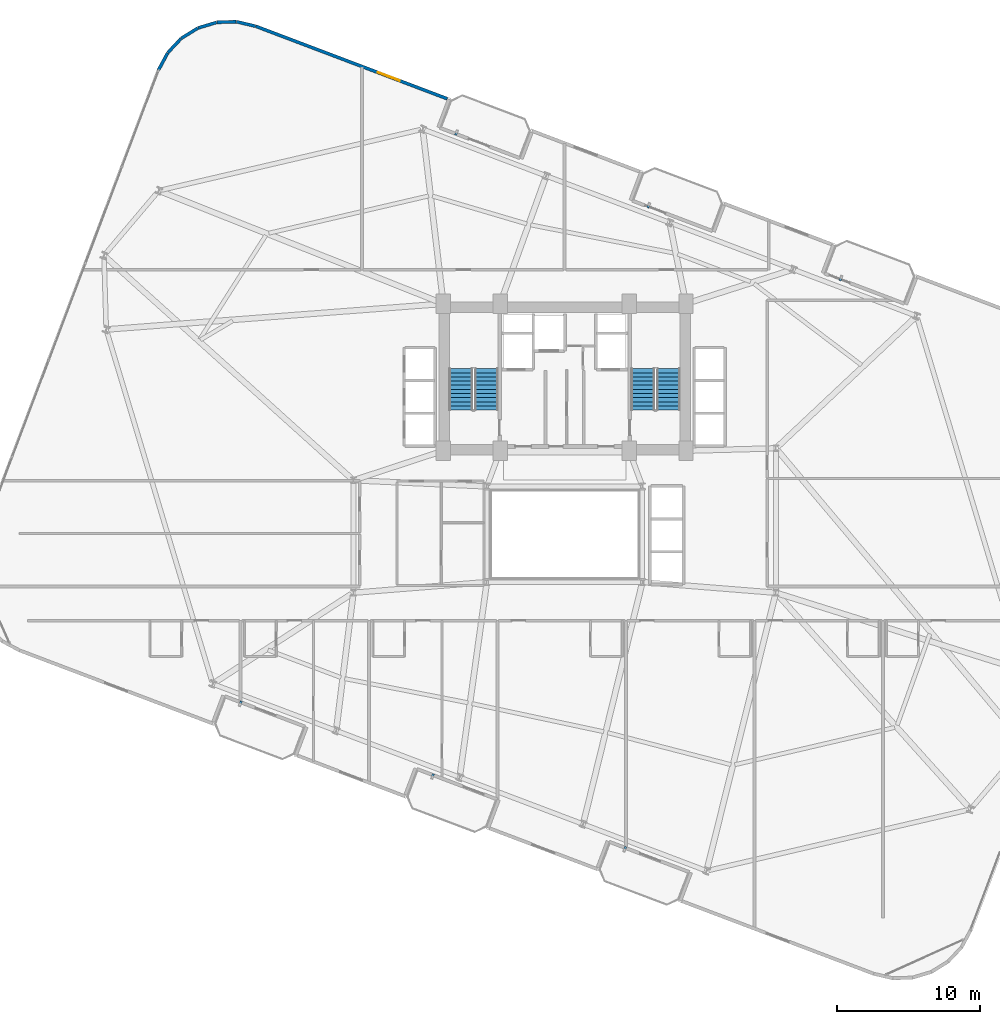
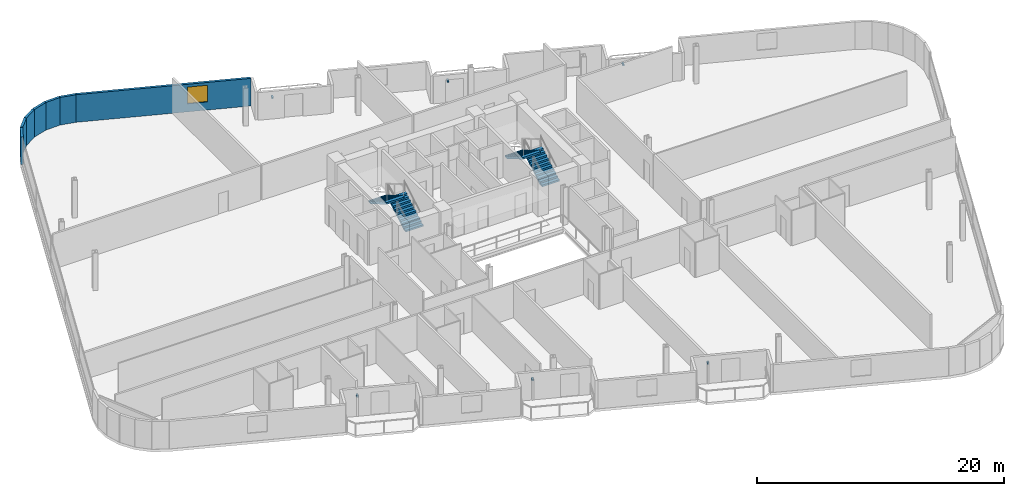
# One storey, part 22 of 25: 7 walls, 6 discrete accessories, 4 stair flights, 1 window, 1 opening, 2 elements without a shape of their own.
"""IFC4 building model written with IfcOpenShell, lengths in metres."""

import ifcopenshell
import ifcopenshell.guid

model = None  # the IFC model being written
_history = None  # IfcOwnerHistory: only IFC2X3 demands one
_inside = {}  # id of a spatial element -> (the spatial element, [elements in it])
_under = {}  # id of a project, library or spatial element -> (it, [spatial elements below it])
_declared = {}  # id of a project -> (the project, [libraries it declares])
_typed = {}  # id of a type object -> (the type object, [elements of that type])
_made_of = {}  # id of a material, layer set ... -> (it, [elements and type objects made of it])


def new_model(schema):
    """Start an empty IFC model of exactly this schema.

    Asked for "IFC4X3", IfcOpenShell would pick the latest addendum, in which some entities
    have other attributes; the version numbers below select the first issue.
    IFC2X3 requires an IfcOwnerHistory on every rooted entity: one is made here for all.
    """
    global model, _history
    if schema == "IFC4X3":
        model = ifcopenshell.file(schema_version=(4, 3, 0, 0))
    else:
        model = ifcopenshell.file(schema=schema)
    _inside.clear()
    _under.clear()
    _declared.clear()
    _typed.clear()
    _made_of.clear()
    _history = None
    if model.schema == "IFC2X3":
        org = make("IfcOrganization", Name="unknown")
        user = make(
            "IfcPersonAndOrganization",
            ThePerson=make("IfcPerson", FamilyName="unknown"),
            TheOrganization=org,
        )
        app = make(
            "IfcApplication",
            ApplicationDeveloper=org,
            Version="unknown",
            ApplicationFullName="unknown",
            ApplicationIdentifier="unknown",
        )
        _history = make(
            "IfcOwnerHistory",
            OwningUser=user,
            OwningApplication=app,
            ChangeAction="ADDED",
            CreationDate=0,
        )
    return model


def make(cls, **values):
    """One entity of the class cls with the attributes given. An attribute that is None is left unset."""
    return model.create_entity(
        cls, **{name: value for name, value in values.items() if value is not None}
    )


def rooted(cls, **values):
    """An entity with a GlobalId (a new one), such as an element, a storey or a relation."""
    return make(cls, GlobalId=ifcopenshell.guid.new(), OwnerHistory=_history, **values)


def si_unit(unit_type, name, prefix=None):
    """IfcSIUnit, for example si_unit("LENGTHUNIT", "METRE", prefix="MILLI")."""
    return make("IfcSIUnit", UnitType=unit_type, Prefix=prefix, Name=name)


def assignment(units):
    """IfcUnitAssignment: the units of a project."""
    return None if units is None else make("IfcUnitAssignment", Units=units)


def point(xyz):
    """IfcCartesianPoint."""
    return None if xyz is None else make("IfcCartesianPoint", Coordinates=xyz)


def direction(xyz):
    """IfcDirection."""
    return None if xyz is None else make("IfcDirection", DirectionRatios=xyz)


def frame(location, z_axis=None, x_axis=None):
    """IfcAxis2Placement3D, a coordinate frame: its origin and axes. An axis left out is left unset."""
    return make(
        "IfcAxis2Placement3D",
        Location=point(location),
        Axis=direction(z_axis),
        RefDirection=direction(x_axis),
    )


def frame_2d(location, x_axis=None):
    """IfcAxis2Placement2D, a coordinate frame in the plane: its origin and x axis."""
    return make(
        "IfcAxis2Placement2D", Location=point(location), RefDirection=direction(x_axis)
    )


def origin():
    """The frame at (0, 0, 0) with its axes left unset."""
    return frame((0.0, 0.0, 0.0))


def origin_2d():
    """The frame at (0, 0) in the plane with its x axis left unset."""
    return frame_2d((0.0, 0.0))


def place(relative_to, where):
    """IfcLocalPlacement: puts the frame where relative to a parent placement (None: the world)."""
    return make(
        "IfcLocalPlacement", PlacementRelTo=relative_to, RelativePlacement=where
    )


def context(
    kind, dimensions, precision=None, world=None, true_north=None, identifier=None
):
    """IfcGeometricRepresentationContext, for example the 3D "Model" context."""
    return make(
        "IfcGeometricRepresentationContext",
        ContextIdentifier=identifier,
        ContextType=kind,
        CoordinateSpaceDimension=dimensions,
        Precision=precision,
        WorldCoordinateSystem=world,
        TrueNorth=true_north,
    )


def subcontext(parent, identifier, kind, view, scale=None):
    """IfcGeometricRepresentationSubContext, for example "Body" below "Model"."""
    return make(
        "IfcGeometricRepresentationSubContext",
        ContextIdentifier=identifier,
        ContextType=kind,
        ParentContext=parent,
        TargetScale=scale,
        TargetView=view,
    )


def project(units=None, contexts=None):
    """IfcProject with its units and contexts."""
    return rooted(
        "IfcProject",
        Name="project",
        RepresentationContexts=contexts,
        UnitsInContext=assignment(units),
    )


def spatial(cls, under=None, at=None, **own):
    """A site, building, storey or space (cls), placed at a placement, below another one or the project."""
    s = rooted(cls, ObjectPlacement=at, **own)
    if under is not None:
        _under.setdefault(under.id(), (under, []))[1].append(s)
    return s


def polyline(points):
    """IfcPolyline through the points."""
    return make("IfcPolyline", Points=[point(p) for p in points])


def profile(cls, at=None, kind="AREA", **sizes):
    """A parametric profile (cls). Its sizes go by their IFC names, for example OverallWidth=200.0."""
    return make(cls, ProfileType=kind, Position=at, **sizes)


def rectangle(**sizes):
    """IfcRectangleProfileDef."""
    return profile("IfcRectangleProfileDef", **sizes)


def outline(outer, holes=None, kind="AREA"):
    """IfcArbitraryClosedProfileDef: a profile drawn as a closed curve; with holes, ...WithVoids."""
    if holes is None:
        return make("IfcArbitraryClosedProfileDef", ProfileType=kind, OuterCurve=outer)
    return make(
        "IfcArbitraryProfileDefWithVoids",
        ProfileType=kind,
        OuterCurve=outer,
        InnerCurves=holes,
    )


def extrude(swept, where, along, depth):
    """IfcExtrudedAreaSolid: the profile swept, set in the frame where, extruded along a direction by depth."""
    return make(
        "IfcExtrudedAreaSolid",
        SweptArea=swept,
        Position=where,
        ExtrudedDirection=direction(along),
        Depth=depth,
    )


def shape(context_of_items, identifier, shape_type, items):
    """IfcShapeRepresentation: the items that make up one representation, for example the "Body"."""
    return make(
        "IfcShapeRepresentation",
        ContextOfItems=context_of_items,
        RepresentationIdentifier=identifier,
        RepresentationType=shape_type,
        Items=items,
    )


def source(mapping_origin, context_of_items, identifier, shape_type, items):
    """IfcRepresentationMap: a shape defined once, which mapped items show again and again."""
    return make(
        "IfcRepresentationMap",
        MappingOrigin=mapping_origin,
        MappedRepresentation=shape(context_of_items, identifier, shape_type, items),
    )


def transform(
    local_origin,
    x_axis=None,
    y_axis=None,
    z_axis=None,
    scale=None,
    scale2=None,
    scale3=None,
    uniform=True,
):
    """IfcCartesianTransformationOperator3D, or its non-uniform kind. x_axis, y_axis, z_axis: its Axis1, 2, 3."""
    if uniform:
        return make(
            "IfcCartesianTransformationOperator3D",
            Axis1=direction(x_axis),
            Axis2=direction(y_axis),
            LocalOrigin=point(local_origin),
            Scale=scale,
            Axis3=direction(z_axis),
        )
    return make(
        "IfcCartesianTransformationOperator3DnonUniform",
        Axis1=direction(x_axis),
        Axis2=direction(y_axis),
        LocalOrigin=point(local_origin),
        Scale=scale,
        Axis3=direction(z_axis),
        Scale2=scale2,
        Scale3=scale3,
    )


def mapped(mapping_source, mapping_target):
    """IfcMappedItem: shows the shape of a source again, moved by a transform."""
    return make(
        "IfcMappedItem", MappingSource=mapping_source, MappingTarget=mapping_target
    )


def material(Name=None, Category=None):
    """IfcMaterial."""
    return make("IfcMaterial", Name=Name, Category=Category)


def layer(
    of_material, thickness, ventilated=None, Name=None, Category=None, Priority=None
):
    """IfcMaterialLayer: one layer of a wall or slab, of a material (None: an air gap)."""
    return make(
        "IfcMaterialLayer",
        Material=of_material,
        LayerThickness=thickness,
        IsVentilated=ventilated,
        Name=Name,
        Category=Category,
        Priority=Priority,
    )


def layer_set(layers, Name=None):
    """IfcMaterialLayerSet."""
    return make("IfcMaterialLayerSet", MaterialLayers=layers, LayerSetName=Name)


def made_of(thing, what):
    """Note that an element or type object is made of a material, layer set ...; save() writes the relation."""
    if what is not None:
        _made_of.setdefault(what.id(), (what, []))[1].append(thing)
    return thing


def type_object(cls, material=None, **own):
    """A type object (cls), such as IfcWallType, which elements share."""
    return made_of(rooted(cls, **own), material)


def element(
    cls,
    number,
    at=None,
    inside=None,
    cuts=None,
    type_object=None,
    material=None,
    context=None,
    identifier="Body",
    shape_type=None,
    held_by="IfcProductDefinitionShape",
    body=None,
    shapes=None,
    **own,
):
    """One element of the class cls, such as IfcWall. Its Tag is "e" and its number.

    at: its placement. inside: the storey or other place that contains it. cuts: it is an
    opening in that element (IfcRelVoidsElement). A single representation is given by context,
    identifier, shape_type and body (its items); several are given by shapes. held_by: the class
    of the entity that holds the representations. save() writes the other relations.
    """
    e = rooted(cls, Tag="e%d" % number, ObjectPlacement=at, **own)
    if body is not None:
        shapes = [shape(context, identifier, shape_type, body)]
    if shapes is not None:
        e.Representation = make(held_by, Representations=shapes)
    if inside is not None:
        _inside.setdefault(inside.id(), (inside, []))[1].append(e)
    if cuts is not None:
        rooted(
            "IfcRelVoidsElement", RelatingBuildingElement=cuts, RelatedOpeningElement=e
        )
    if type_object is not None:
        _typed.setdefault(type_object.id(), (type_object, []))[1].append(e)
    return made_of(e, material)


def fill(opening, filler):
    """IfcRelFillsElement: the door or window that sits in an opening."""
    return rooted(
        "IfcRelFillsElement",
        RelatingOpeningElement=opening,
        RelatedBuildingElement=filler,
    )


def aggregate(whole, parts):
    """IfcRelAggregates: a whole, such as a stair, and the parts it consists of."""
    return rooted("IfcRelAggregates", RelatingObject=whole, RelatedObjects=parts)


def save(model, path):
    """Write the relations noted so far, then the file.

    IfcRelAggregates (storeys below a building ...), IfcRelContainedInSpatialStructure (elements
    in a storey), IfcRelDefinesByType, IfcRelAssociatesMaterial and IfcRelDeclares: one each for
    every whole, place, type object, material and project.
    """
    for whole, parts in _under.values():
        aggregate(whole, parts)
    for where, things in _inside.values():
        rooted(
            "IfcRelContainedInSpatialStructure",
            RelatedElements=things,
            RelatingStructure=where,
        )
    for kind, things in _typed.values():
        rooted("IfcRelDefinesByType", RelatedObjects=things, RelatingType=kind)
    for what, things in _made_of.values():
        rooted("IfcRelAssociatesMaterial", RelatedObjects=things, RelatingMaterial=what)
    for by, libraries in _declared.values():
        rooted("IfcRelDeclares", RelatingContext=by, RelatedDefinitions=libraries)
    model.write(path)


model = new_model("IFC4")

# Units and contexts
model_context = context("Model", 3, precision=1e-05, world=origin(), true_north=direction((0.0, 1.0)))
body_context = subcontext(model_context, "Body", "Model", "MODEL_VIEW")
ifc_project = project(units=[si_unit("LENGTHUNIT", "METRE"), si_unit("AREAUNIT", "SQUARE_METRE"), si_unit("VOLUMEUNIT", "CUBIC_METRE"), si_unit("PLANEANGLEUNIT", "RADIAN"), si_unit("MASSUNIT", "GRAM", prefix="KILO")], contexts=[model_context])

# Site, building, storey
site_placement = place(None, origin())
site = spatial("IfcSite", under=ifc_project, at=site_placement, CompositionType="ELEMENT")
building_placement = place(site_placement, origin())
building = spatial("IfcBuilding", under=site, at=building_placement, Name="Varnelok Gate Tower", CompositionType="ELEMENT")
storey_placement = place(building_placement, frame((0.0, 0.0, 76.199951171875)))
storey = spatial("IfcBuildingStorey", under=building, at=storey_placement, Name="L18", CompositionType="ELEMENT", Elevation=76.199951171875)

# Wall, opening, window
ifc_material_1 = material(Name="Concrete C45/55", Category="concrete")
ifc_layer = layer(ifc_material_1, 0.219970703125)
ifc_layer_set = layer_set([ifc_layer], Name="Concrete C45/55")
wall_type = type_object("IfcWallType", Name="EW-BALC-220", PredefinedType="SOLIDWALL", material=ifc_layer_set)
wall_1_placement = place(storey_placement, frame((30.97607421875, 53.412841796875, 0.0), z_axis=(0.0, 0.0, 1.0), x_axis=(-0.935220327379, 0.354066292178, 0.0)))
wall_1 = element("IfcWall", 1, at=wall_1_placement, inside=storey, type_object=wall_type, Name="L18 Perimeter Facade Closure Wall 38", PredefinedType="SOLIDWALL", context=body_context, shape_type="SweptSolid", body=[
    extrude(rectangle(XDim=14.34716796875, YDim=0.219970703125, at=frame_2d((7.173583984375, 0.0))), origin(), (0.0, 0.0, 1.0), 2.72998046875),
])
opening_placement = place(wall_1_placement, frame((3.55517578125, 0.0, 0.800048828125)))
opening = element("IfcOpeningElement", 2, at=opening_placement, cuts=wall_1, Name="Opening WN3", PredefinedType="OPENING", context=body_context, shape_type="SweptSolid", body=[
    extrude(rectangle(XDim=1.64990234375, YDim=1.64990234375, at=frame_2d((0.824951171875, 0.824951171875))), frame((0.0, 0.119873046875, 0.0), z_axis=(0.0, -1.0, 0.0), x_axis=(1.0, 0.0, 0.0)), (0.0, 0.0, 1.0), 0.239990234375),
])
ifc_material_2 = material(Name="Low-E Laminated Double Glazing IGU", Category="glass")
window_type = type_object("IfcWindowType", Name="WN-HTL-1650", PartitioningType="SINGLE_PANEL", PredefinedType="WINDOW", material=ifc_material_2)
window_placement = place(opening_placement, origin())
window = element("IfcWindow", 3, at=window_placement, inside=storey, type_object=window_type, Name="L18 Perimeter Vision Window 38", OverallHeight=1.64990234375, OverallWidth=1.64990234375, PartitioningType="SINGLE_PANEL", PredefinedType="WINDOW", context=body_context, shape_type="SweptSolid", body=[
    extrude(rectangle(XDim=1.64990234375, YDim=1.64990234375, at=frame_2d((0.824951171875, 0.824951171875))), frame((0.0, 0.030029296875, 0.0), z_axis=(0.0, -1.0, 0.0), x_axis=(1.0, 0.0, 0.0)), (0.0, 0.0, 1.0), 0.06005859375),
])
fill(opening, window)

# Walls
wall_2_placement = place(storey_placement, frame((17.533935546875, 58.498291015625, 0.0), z_axis=(0.0, 0.0, 1.0), x_axis=(-0.973414815952, 0.229049331117, 0.0)))
element("IfcWall", 4, at=wall_2_placement, inside=storey, type_object=wall_type, Name="L18 Perimeter Facade Closure Wall 39", PredefinedType="SOLIDWALL", context=body_context, shape_type="SweptSolid", body=[
    extrude(rectangle(XDim=1.361083984375, YDim=0.219970703125, at=frame_2d((0.6806640625, 0.0))), origin(), (0.0, 0.0, 1.0), 2.72998046875),
])
wall_3_placement = place(storey_placement, frame((16.18408203125, 58.809326171875, 0.0), z_axis=(0.0, 0.0, 1.0), x_axis=(-0.999523971993, -0.03085173271, 0.0)))
element("IfcWall", 5, at=wall_3_placement, inside=storey, type_object=wall_type, Name="L18 Perimeter Facade Closure Wall 40", PredefinedType="SOLIDWALL", context=body_context, shape_type="SweptSolid", body=[
    extrude(rectangle(XDim=1.353271484375, YDim=0.219970703125, at=frame_2d((0.6767578125, 0.0))), origin(), (0.0, 0.0, 1.0), 2.72998046875),
])
for number, where, z_axis, x_axis, name in (
    (6, (14.8076171875, 58.76025390625, 0.0), (0.0, 0.0, 1.0), (-0.957532798303, -0.28832436625, 0.0), "L18 Perimeter Facade Closure Wall 41"),
    (7, (13.49072265625, 58.35693359375, 0.0), (0.0, 0.0, 1.0), (-0.850261301096, -0.526360826676, 0.0), "L18 Perimeter Facade Closure Wall 42"),
    (8, (12.3232421875, 57.62646484375, 0.0), (0.0, 0.0, 1.0), (-0.684936830459, -0.728602455583, 0.0), "L18 Perimeter Facade Closure Wall 43"),
    (9, (11.384521484375, 56.61865234375, 0.0), (0.0, 0.0, 1.0), (-0.473077364598, -0.881020889142, 0.0), "L18 Perimeter Facade Closure Wall 44"),
):
    element("IfcWall", number, at=place(storey_placement, frame(where, z_axis=z_axis, x_axis=x_axis)), inside=storey, type_object=wall_type, Name=name, PredefinedType="SOLIDWALL", context=body_context, shape_type="SweptSolid", body=[
        extrude(rectangle(XDim=1.35302734375, YDim=0.219970703125, at=frame_2d((0.676513671875, 0.0))), origin(), (0.0, 0.0, 1.0), 2.72998046875),
    ])

# Stair, stair flights
ifc_material_3 = material(Name="Concrete C50/60", Category="concrete")
stair_type = type_object("IfcStairType", Name="STR-CORE-1650", PredefinedType="HALF_TURN_STAIR", material=ifc_material_3)
stair_1_placement = place(storey_placement, origin())
stair_1 = element("IfcStair", 10, at=stair_1_placement, inside=storey, type_object=stair_type, Name="L18 Exit Stair ST-1", PredefinedType="HALF_TURN_STAIR")
stair_flight_type = type_object("IfcStairFlightType", Name="SFL-CORE-1650", PredefinedType="STRAIGHT", material=ifc_material_3)
stair_flight_1_placement = place(storey_placement, frame((33.72509765625, 31.60009765625, 0.0), z_axis=(0.0, 0.0, 1.0), x_axis=(0.0, 1.0, 0.0)))
stair_flight_1 = element("IfcStairFlight", 11, at=stair_flight_1_placement, type_object=stair_flight_type, Name="ST-1 flight 1", NumberOfRisers=11, NumberOfTreads=10, PredefinedType="STRAIGHT", RiserHeight=0.168181818, TreadLength=0.29, context=body_context, shape_type="SweptSolid", body=[
    extrude(outline(polyline([(0.0, 0.0), (0.0, 0.168212890625), (0.2900390625, 0.168212890625), (0.2900390625, 0.33642578125), (0.580078125, 0.33642578125), (0.580078125, 0.504638671875), (0.8701171875, 0.504638671875), (0.8701171875, 0.672607421875), (1.159912109375, 0.672607421875), (1.159912109375, 0.8408203125), (1.449951171875, 0.8408203125), (1.449951171875, 1.009033203125), (1.739990234375, 1.009033203125), (1.739990234375, 1.17724609375), (2.030029296875, 1.17724609375), (2.030029296875, 1.345458984375), (2.320068359375, 1.345458984375), (2.320068359375, 1.513671875), (2.610107421875, 1.513671875), (2.610107421875, 1.681884765625), (2.89990234375, 1.681884765625), (2.89990234375, 1.85009765625), (2.89990234375, 1.508544921875), (0.298828125, 0.0), (0.0, 0.0)])), frame((0.0, 0.824951171875, 0.0), z_axis=(0.0, -1.0, 0.0), x_axis=(1.0, 0.0, 0.0)), (0.0, 0.0, 1.0), 1.64990234375),
])
stair_flight_2_placement = place(storey_placement, frame((31.925048828125, 34.5, 1.85009765625), z_axis=(0.0, 0.0, 1.0), x_axis=(0.0, -1.0, 0.0)))
stair_flight_2 = element("IfcStairFlight", 12, at=stair_flight_2_placement, type_object=stair_flight_type, Name="ST-1 flight 2", NumberOfRisers=11, NumberOfTreads=10, PredefinedType="STRAIGHT", RiserHeight=0.168181818, TreadLength=0.29, context=body_context, shape_type="SweptSolid", body=[
    extrude(outline(polyline([(0.0, 0.0), (0.0, 0.168212890625), (0.2900390625, 0.168212890625), (0.2900390625, 0.33642578125), (0.580078125, 0.33642578125), (0.580078125, 0.504638671875), (0.8701171875, 0.504638671875), (0.8701171875, 0.672607421875), (1.159912109375, 0.672607421875), (1.159912109375, 0.8408203125), (1.449951171875, 0.8408203125), (1.449951171875, 1.009033203125), (1.739990234375, 1.009033203125), (1.739990234375, 1.17724609375), (2.030029296875, 1.17724609375), (2.030029296875, 1.345458984375), (2.320068359375, 1.345458984375), (2.320068359375, 1.513671875), (2.610107421875, 1.513671875), (2.610107421875, 1.681884765625), (2.89990234375, 1.681884765625), (2.89990234375, 1.85009765625), (2.89990234375, 1.508544921875), (0.298828125, 0.0), (0.0, 0.0)])), frame((0.0, 0.824951171875, 0.0), z_axis=(0.0, -1.0, 0.0), x_axis=(1.0, 0.0, 0.0)), (0.0, 0.0, 1.0), 1.64990234375),
])
aggregate(stair_1, [stair_flight_1, stair_flight_2])

stair_2_placement = place(storey_placement, origin())
stair_2 = element("IfcStair", 13, at=stair_2_placement, inside=storey, type_object=stair_type, Name="L18 Exit Stair ST-2", PredefinedType="HALF_TURN_STAIR")
stair_flight_3_placement = place(storey_placement, frame((46.47509765625, 31.60009765625, 0.0), z_axis=(0.0, 0.0, 1.0), x_axis=(0.0, 1.0, 0.0)))
stair_flight_3 = element("IfcStairFlight", 14, at=stair_flight_3_placement, type_object=stair_flight_type, Name="ST-2 flight 1", NumberOfRisers=11, NumberOfTreads=10, PredefinedType="STRAIGHT", RiserHeight=0.168181818, TreadLength=0.29, context=body_context, shape_type="SweptSolid", body=[
    extrude(outline(polyline([(0.0, 0.0), (0.0, 0.168212890625), (0.2900390625, 0.168212890625), (0.2900390625, 0.33642578125), (0.580078125, 0.33642578125), (0.580078125, 0.504638671875), (0.8701171875, 0.504638671875), (0.8701171875, 0.672607421875), (1.159912109375, 0.672607421875), (1.159912109375, 0.8408203125), (1.449951171875, 0.8408203125), (1.449951171875, 1.009033203125), (1.739990234375, 1.009033203125), (1.739990234375, 1.17724609375), (2.030029296875, 1.17724609375), (2.030029296875, 1.345458984375), (2.320068359375, 1.345458984375), (2.320068359375, 1.513671875), (2.610107421875, 1.513671875), (2.610107421875, 1.681884765625), (2.89990234375, 1.681884765625), (2.89990234375, 1.85009765625), (2.89990234375, 1.508544921875), (0.298828125, 0.0), (0.0, 0.0)])), frame((0.0, 0.824951171875, 0.0), z_axis=(0.0, -1.0, 0.0), x_axis=(1.0, 0.0, 0.0)), (0.0, 0.0, 1.0), 1.64990234375),
])
stair_flight_4_placement = place(storey_placement, frame((44.675048828125, 34.5, 1.85009765625), z_axis=(0.0, 0.0, 1.0), x_axis=(0.0, -1.0, 0.0)))
stair_flight_4 = element("IfcStairFlight", 15, at=stair_flight_4_placement, type_object=stair_flight_type, Name="ST-2 flight 2", NumberOfRisers=11, NumberOfTreads=10, PredefinedType="STRAIGHT", RiserHeight=0.168181818, TreadLength=0.29, context=body_context, shape_type="SweptSolid", body=[
    extrude(outline(polyline([(0.0, 0.0), (0.0, 0.168212890625), (0.2900390625, 0.168212890625), (0.2900390625, 0.33642578125), (0.580078125, 0.33642578125), (0.580078125, 0.504638671875), (0.8701171875, 0.504638671875), (0.8701171875, 0.672607421875), (1.159912109375, 0.672607421875), (1.159912109375, 0.8408203125), (1.449951171875, 0.8408203125), (1.449951171875, 1.009033203125), (1.739990234375, 1.009033203125), (1.739990234375, 1.17724609375), (2.030029296875, 1.17724609375), (2.030029296875, 1.345458984375), (2.320068359375, 1.345458984375), (2.320068359375, 1.513671875), (2.610107421875, 1.513671875), (2.610107421875, 1.681884765625), (2.89990234375, 1.681884765625), (2.89990234375, 1.85009765625), (2.89990234375, 1.508544921875), (0.298828125, 0.0), (0.0, 0.0)])), frame((0.0, 0.824951171875, 0.0), z_axis=(0.0, -1.0, 0.0), x_axis=(1.0, 0.0, 0.0)), (0.0, 0.0, 1.0), 1.64990234375),
])
aggregate(stair_2, [stair_flight_3, stair_flight_4])

# Discrete accessories
ifc_material_4 = material(Name="Structural Steel ASTM A500 Grade C", Category="steel")
discrete_accessory_type = type_object("IfcDiscreteAccessoryType", Name="ACC-BAGUETTE-BRK", PredefinedType="BRACKET", material=ifc_material_4)
shared_shape = source(origin(), body_context, "Body", "SweptSolid", [
    extrude(rectangle(XDim=0.159912109375, YDim=0.340087890625, at=origin_2d()), origin(), (0.0, 0.0, 1.0), 0.139892578125),
])
for number, where, z_axis, x_axis, name in (
    (16, (16.483154296875, 11.050048828125, 1.97998046875), (0.0, 0.0, 1.0), (0.935221751401, -0.354062530786, 0.0), "L18 Terracotta Baguette Bracket 1.1"),
    (17, (29.9501953125, 5.95166015625, 1.97998046875), (0.0, 0.0, 1.0), (0.935221751401, -0.354062530786, 0.0), "L18 Terracotta Baguette Bracket 2.1"),
    (18, (43.41748046875, 0.85302734375, 1.97998046875), (0.0, 0.0, 1.0), (0.935221751401, -0.354062530786, 0.0), "L18 Terracotta Baguette Bracket 3.1"),
    (19, (31.61572265625, 51.021484375, 1.97998046875), (0.0, 0.0, 1.0), (0.935221751401, -0.354062530786, 0.0), "L18 Terracotta Baguette Bracket 4.1"),
    (20, (45.0830078125, 45.923095703125, 1.97998046875), (0.0, 0.0, 1.0), (0.935221751401, -0.354062530786, 0.0), "L18 Terracotta Baguette Bracket 5.1"),
    (21, (58.550048828125, 40.824462890625, 1.97998046875), (0.0, 0.0, 1.0), (0.935221751401, -0.354062530786, 0.0), "L18 Terracotta Baguette Bracket 6.1"),
):
    element("IfcDiscreteAccessory", number, at=place(storey_placement, frame(where, z_axis=z_axis, x_axis=x_axis)), inside=storey, type_object=discrete_accessory_type, Name=name, PredefinedType="BRACKET", context=body_context, shape_type="MappedRepresentation", body=[
        mapped(shared_shape, transform((0.0, 0.0, 0.0), scale=1.0)),
    ])

save(model, "model.ifc")
